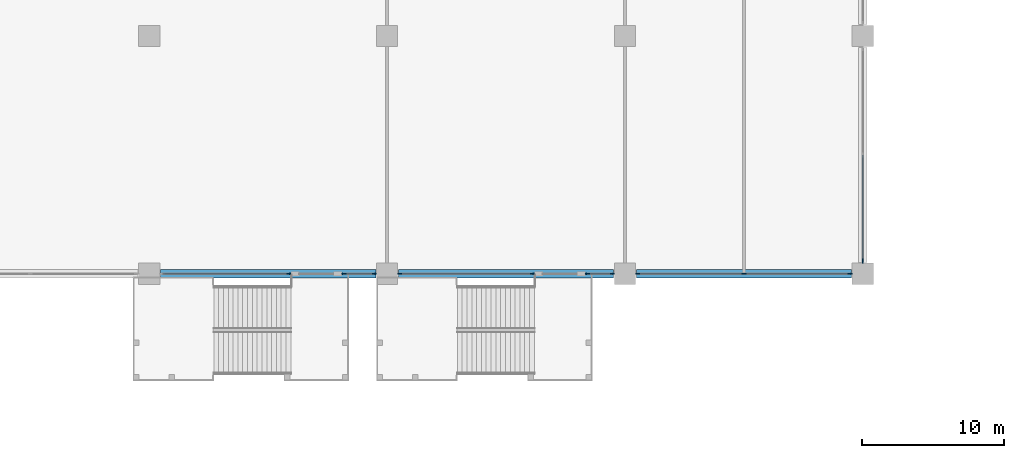
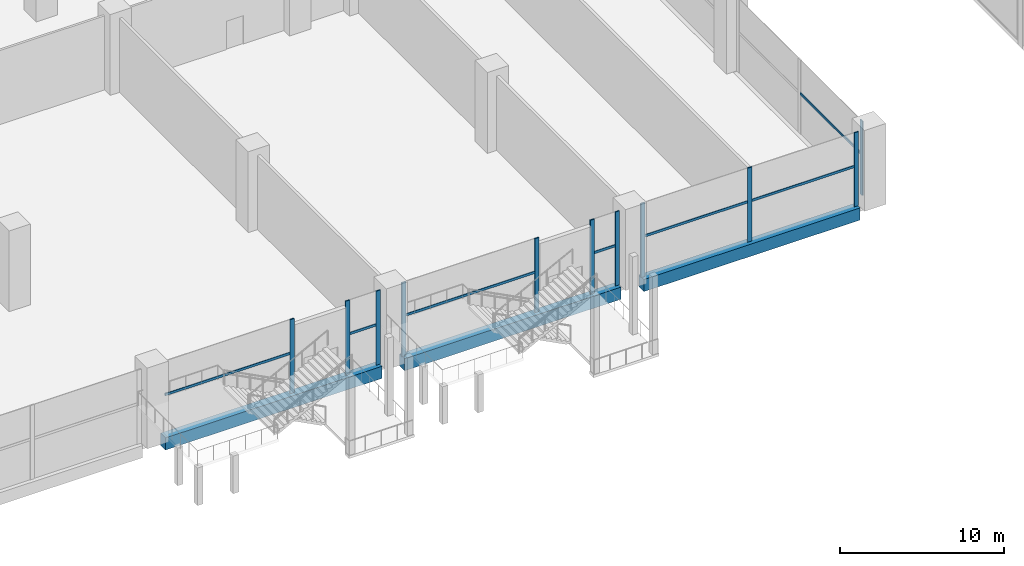
# One storey, part 7 of 49: 18 members, 3 beams, 6 elements without a shape of their own.
"""IFC4 building model written with IfcOpenShell, lengths in metres."""

import ifcopenshell
import ifcopenshell.guid

model = None  # the IFC model being written
_history = None  # IfcOwnerHistory: only IFC2X3 demands one
_inside = {}  # id of a spatial element -> (the spatial element, [elements in it])
_under = {}  # id of a project, library or spatial element -> (it, [spatial elements below it])
_declared = {}  # id of a project -> (the project, [libraries it declares])
_typed = {}  # id of a type object -> (the type object, [elements of that type])
_made_of = {}  # id of a material, layer set ... -> (it, [elements and type objects made of it])


def new_model(schema):
    """Start an empty IFC model of exactly this schema.

    Asked for "IFC4X3", IfcOpenShell would pick the latest addendum, in which some entities
    have other attributes; the version numbers below select the first issue.
    IFC2X3 requires an IfcOwnerHistory on every rooted entity: one is made here for all.
    """
    global model, _history
    if schema == "IFC4X3":
        model = ifcopenshell.file(schema_version=(4, 3, 0, 0))
    else:
        model = ifcopenshell.file(schema=schema)
    _inside.clear()
    _under.clear()
    _declared.clear()
    _typed.clear()
    _made_of.clear()
    _history = None
    if model.schema == "IFC2X3":
        org = make("IfcOrganization", Name="unknown")
        user = make(
            "IfcPersonAndOrganization",
            ThePerson=make("IfcPerson", FamilyName="unknown"),
            TheOrganization=org,
        )
        app = make(
            "IfcApplication",
            ApplicationDeveloper=org,
            Version="unknown",
            ApplicationFullName="unknown",
            ApplicationIdentifier="unknown",
        )
        _history = make(
            "IfcOwnerHistory",
            OwningUser=user,
            OwningApplication=app,
            ChangeAction="ADDED",
            CreationDate=0,
        )
    return model


def make(cls, **values):
    """One entity of the class cls with the attributes given. An attribute that is None is left unset."""
    return model.create_entity(
        cls, **{name: value for name, value in values.items() if value is not None}
    )


def rooted(cls, **values):
    """An entity with a GlobalId (a new one), such as an element, a storey or a relation."""
    return make(cls, GlobalId=ifcopenshell.guid.new(), OwnerHistory=_history, **values)


def si_unit(unit_type, name, prefix=None):
    """IfcSIUnit, for example si_unit("LENGTHUNIT", "METRE", prefix="MILLI")."""
    return make("IfcSIUnit", UnitType=unit_type, Prefix=prefix, Name=name)


def assignment(units):
    """IfcUnitAssignment: the units of a project."""
    return None if units is None else make("IfcUnitAssignment", Units=units)


def point(xyz):
    """IfcCartesianPoint."""
    return None if xyz is None else make("IfcCartesianPoint", Coordinates=xyz)


def direction(xyz):
    """IfcDirection."""
    return None if xyz is None else make("IfcDirection", DirectionRatios=xyz)


def frame(location, z_axis=None, x_axis=None):
    """IfcAxis2Placement3D, a coordinate frame: its origin and axes. An axis left out is left unset."""
    return make(
        "IfcAxis2Placement3D",
        Location=point(location),
        Axis=direction(z_axis),
        RefDirection=direction(x_axis),
    )


def frame_2d(location, x_axis=None):
    """IfcAxis2Placement2D, a coordinate frame in the plane: its origin and x axis."""
    return make(
        "IfcAxis2Placement2D", Location=point(location), RefDirection=direction(x_axis)
    )


def origin():
    """The frame at (0, 0, 0) with its axes left unset."""
    return frame((0.0, 0.0, 0.0))


def origin_2d():
    """The frame at (0, 0) in the plane with its x axis left unset."""
    return frame_2d((0.0, 0.0))


def place(relative_to, where):
    """IfcLocalPlacement: puts the frame where relative to a parent placement (None: the world)."""
    return make(
        "IfcLocalPlacement", PlacementRelTo=relative_to, RelativePlacement=where
    )


def context(
    kind, dimensions, precision=None, world=None, true_north=None, identifier=None
):
    """IfcGeometricRepresentationContext, for example the 3D "Model" context."""
    return make(
        "IfcGeometricRepresentationContext",
        ContextIdentifier=identifier,
        ContextType=kind,
        CoordinateSpaceDimension=dimensions,
        Precision=precision,
        WorldCoordinateSystem=world,
        TrueNorth=true_north,
    )


def subcontext(parent, identifier, kind, view, scale=None):
    """IfcGeometricRepresentationSubContext, for example "Body" below "Model"."""
    return make(
        "IfcGeometricRepresentationSubContext",
        ContextIdentifier=identifier,
        ContextType=kind,
        ParentContext=parent,
        TargetScale=scale,
        TargetView=view,
    )


def project(units=None, contexts=None):
    """IfcProject with its units and contexts."""
    return rooted(
        "IfcProject",
        Name="project",
        RepresentationContexts=contexts,
        UnitsInContext=assignment(units),
    )


def spatial(cls, under=None, at=None, **own):
    """A site, building, storey or space (cls), placed at a placement, below another one or the project."""
    s = rooted(cls, ObjectPlacement=at, **own)
    if under is not None:
        _under.setdefault(under.id(), (under, []))[1].append(s)
    return s


def profile(cls, at=None, kind="AREA", **sizes):
    """A parametric profile (cls). Its sizes go by their IFC names, for example OverallWidth=200.0."""
    return make(cls, ProfileType=kind, Position=at, **sizes)


def rectangle(**sizes):
    """IfcRectangleProfileDef."""
    return profile("IfcRectangleProfileDef", **sizes)


def extrude(swept, where, along, depth):
    """IfcExtrudedAreaSolid: the profile swept, set in the frame where, extruded along a direction by depth."""
    return make(
        "IfcExtrudedAreaSolid",
        SweptArea=swept,
        Position=where,
        ExtrudedDirection=direction(along),
        Depth=depth,
    )


def shape(context_of_items, identifier, shape_type, items):
    """IfcShapeRepresentation: the items that make up one representation, for example the "Body"."""
    return make(
        "IfcShapeRepresentation",
        ContextOfItems=context_of_items,
        RepresentationIdentifier=identifier,
        RepresentationType=shape_type,
        Items=items,
    )


def material(Name=None, Category=None):
    """IfcMaterial."""
    return make("IfcMaterial", Name=Name, Category=Category)


def material_profile(
    of_material, cross_section, Name=None, Category=None, Priority=None
):
    """IfcMaterialProfile: a cross section and its material."""
    return make(
        "IfcMaterialProfile",
        Name=Name,
        Material=of_material,
        Profile=cross_section,
        Priority=Priority,
        Category=Category,
    )


def profile_set(profiles, Name=None, composite=None):
    """IfcMaterialProfileSet."""
    return make(
        "IfcMaterialProfileSet",
        Name=Name,
        MaterialProfiles=profiles,
        CompositeProfile=composite,
    )


def made_of(thing, what):
    """Note that an element or type object is made of a material, layer set ...; save() writes the relation."""
    if what is not None:
        _made_of.setdefault(what.id(), (what, []))[1].append(thing)
    return thing


def type_object(cls, material=None, **own):
    """A type object (cls), such as IfcWallType, which elements share."""
    return made_of(rooted(cls, **own), material)


def element(
    cls,
    number,
    at=None,
    inside=None,
    cuts=None,
    type_object=None,
    material=None,
    context=None,
    identifier="Body",
    shape_type=None,
    held_by="IfcProductDefinitionShape",
    body=None,
    shapes=None,
    **own,
):
    """One element of the class cls, such as IfcWall. Its Tag is "e" and its number.

    at: its placement. inside: the storey or other place that contains it. cuts: it is an
    opening in that element (IfcRelVoidsElement). A single representation is given by context,
    identifier, shape_type and body (its items); several are given by shapes. held_by: the class
    of the entity that holds the representations. save() writes the other relations.
    """
    e = rooted(cls, Tag="e%d" % number, ObjectPlacement=at, **own)
    if body is not None:
        shapes = [shape(context, identifier, shape_type, body)]
    if shapes is not None:
        e.Representation = make(held_by, Representations=shapes)
    if inside is not None:
        _inside.setdefault(inside.id(), (inside, []))[1].append(e)
    if cuts is not None:
        rooted(
            "IfcRelVoidsElement", RelatingBuildingElement=cuts, RelatedOpeningElement=e
        )
    if type_object is not None:
        _typed.setdefault(type_object.id(), (type_object, []))[1].append(e)
    return made_of(e, material)


def aggregate(whole, parts):
    """IfcRelAggregates: a whole, such as a stair, and the parts it consists of."""
    return rooted("IfcRelAggregates", RelatingObject=whole, RelatedObjects=parts)


def save(model, path):
    """Write the relations noted so far, then the file.

    IfcRelAggregates (storeys below a building ...), IfcRelContainedInSpatialStructure (elements
    in a storey), IfcRelDefinesByType, IfcRelAssociatesMaterial and IfcRelDeclares: one each for
    every whole, place, type object, material and project.
    """
    for whole, parts in _under.values():
        aggregate(whole, parts)
    for where, things in _inside.values():
        rooted(
            "IfcRelContainedInSpatialStructure",
            RelatedElements=things,
            RelatingStructure=where,
        )
    for kind, things in _typed.values():
        rooted("IfcRelDefinesByType", RelatedObjects=things, RelatingType=kind)
    for what, things in _made_of.values():
        rooted("IfcRelAssociatesMaterial", RelatedObjects=things, RelatingMaterial=what)
    for by, libraries in _declared.values():
        rooted("IfcRelDeclares", RelatingContext=by, RelatedDefinitions=libraries)
    model.write(path)


model = new_model("IFC4")

# Units and contexts
model_context = context("Model", 3, precision=1e-05, world=origin(), true_north=direction((0.0, 1.0)))
body_context = subcontext(model_context, "Body", "Model", "MODEL_VIEW")
ifc_project = project(units=[si_unit("LENGTHUNIT", "METRE"), si_unit("AREAUNIT", "SQUARE_METRE"), si_unit("VOLUMEUNIT", "CUBIC_METRE"), si_unit("PLANEANGLEUNIT", "RADIAN"), si_unit("MASSUNIT", "GRAM", prefix="KILO")], contexts=[model_context])

# Site, building, storey
site_placement = place(None, origin())
site = spatial("IfcSite", under=ifc_project, at=site_placement, CompositionType="ELEMENT")
building_placement = place(site_placement, origin())
building = spatial("IfcBuilding", under=site, at=building_placement, Name="Candeia Pilgrim Tower and Theatre", CompositionType="ELEMENT")
storey_placement = place(building_placement, frame((0.0, 0.0, 17.0)))
storey = spatial("IfcBuildingStorey", under=building, at=storey_placement, Name="L02", CompositionType="ELEMENT", Elevation=17.0)

# Curtain wall, member
ifc_material_1 = material(Name="Aluminium framed podium glazing", Category="aluminium")
curtain_wall_type = type_object("IfcCurtainWallType", Name="CW-P curtain wall", PredefinedType="NOTDEFINED", material=ifc_material_1)
curtain_wall_1_placement = place(storey_placement, origin())
curtain_wall_1 = element("IfcCurtainWall", 1, at=curtain_wall_1_placement, inside=storey, type_object=curtain_wall_type, Name="Curtain wall CW-P L02.260", PredefinedType="NOTDEFINED")
ifc_material_2 = material(Name="Anodised aluminium", Category="aluminium")
ifc_material_profile_1 = material_profile(ifc_material_2, rectangle(XDim=0.080078125, YDim=0.300048828125, at=origin_2d()))
ifc_profile_set_1 = profile_set([ifc_material_profile_1], Name="Anodised aluminium")
member_type_1 = type_object("IfcMemberType", Name="CW-P mullion 80x300", PredefinedType="MULLION", material=ifc_profile_set_1)
member_1_placement = place(storey_placement, frame((159.60009765625, 65.300048828125, 0.0), z_axis=(0.0, 0.0, 1.0), x_axis=(1.0, 0.0, 0.0)))
member_1 = element("IfcMember", 2, at=member_1_placement, type_object=member_type_1, Name="CW-P mullion 3", PredefinedType="MULLION", context=body_context, shape_type="SweptSolid", body=[
    extrude(rectangle(XDim=0.080078125, YDim=0.300048828125, at=origin_2d()), origin(), (0.0, 0.0, 1.0), 5.5),
])

# Curtain wall, members
curtain_wall_2_placement = place(storey_placement, origin())
curtain_wall_2 = element("IfcCurtainWall", 3, at=curtain_wall_2_placement, inside=storey, type_object=curtain_wall_type, Name="Curtain wall CW-P L02.300", PredefinedType="NOTDEFINED")
member_2_placement = place(storey_placement, frame((158.699951171875, 64.39990234375, 0.0), z_axis=(0.0, 0.0, 1.0), x_axis=(0.0, -1.0, 0.0)))
member_2 = element("IfcMember", 4, at=member_2_placement, type_object=member_type_1, Name="CW-P mullion 1", PredefinedType="MULLION", context=body_context, shape_type="SweptSolid", body=[
    extrude(rectangle(XDim=0.080078125, YDim=0.300048828125, at=origin_2d()), origin(), (0.0, 0.0, 1.0), 5.5),
])
member_3_placement = place(storey_placement, frame((151.199951171875, 64.39990234375, 0.0), z_axis=(0.0, 0.0, 1.0), x_axis=(0.0, -1.0, 0.0)))
member_3 = element("IfcMember", 5, at=member_3_placement, type_object=member_type_1, Name="CW-P mullion 2", PredefinedType="MULLION", context=body_context, shape_type="SweptSolid", body=[
    extrude(rectangle(XDim=0.080078125, YDim=0.300048828125, at=origin_2d()), origin(), (0.0, 0.0, 1.0), 5.5),
])
member_4_placement = place(storey_placement, frame((143.699951171875, 64.39990234375, 0.0), z_axis=(0.0, 0.0, 1.0), x_axis=(0.0, -1.0, 0.0)))
member_4 = element("IfcMember", 6, at=member_4_placement, type_object=member_type_1, Name="CW-P mullion 3", PredefinedType="MULLION", context=body_context, shape_type="SweptSolid", body=[
    extrude(rectangle(XDim=0.080078125, YDim=0.300048828125, at=origin_2d()), origin(), (0.0, 0.0, 1.0), 5.5),
])

curtain_wall_3_placement = place(storey_placement, origin())
curtain_wall_3 = element("IfcCurtainWall", 7, at=curtain_wall_3_placement, inside=storey, type_object=curtain_wall_type, Name="Curtain wall CW-P L02.310", PredefinedType="NOTDEFINED")
member_5_placement = place(storey_placement, frame((141.89990234375, 64.39990234375, 0.0), z_axis=(0.0, 0.0, 1.0), x_axis=(0.0, -1.0, 0.0)))
member_5 = element("IfcMember", 8, at=member_5_placement, type_object=member_type_1, Name="CW-P mullion 1", PredefinedType="MULLION", context=body_context, shape_type="SweptSolid", body=[
    extrude(rectangle(XDim=0.080078125, YDim=0.300048828125, at=origin_2d()), origin(), (0.0, 0.0, 1.0), 5.5),
])
member_6_placement = place(storey_placement, frame((140.14990234375, 64.39990234375, 0.0), z_axis=(0.0, 0.0, 1.0), x_axis=(0.0, -1.0, 0.0)))
member_6 = element("IfcMember", 9, at=member_6_placement, type_object=member_type_1, Name="CW-P mullion 2", PredefinedType="MULLION", context=body_context, shape_type="SweptSolid", body=[
    extrude(rectangle(XDim=0.080078125, YDim=0.300048828125, at=origin_2d()), origin(), (0.0, 0.0, 1.0), 5.5),
])

curtain_wall_4_placement = place(storey_placement, origin())
curtain_wall_4 = element("IfcCurtainWall", 10, at=curtain_wall_4_placement, inside=storey, type_object=curtain_wall_type, Name="Curtain wall CW-P L02.311", PredefinedType="NOTDEFINED")
member_7_placement = place(storey_placement, frame((136.25, 64.39990234375, 0.0), z_axis=(0.0, 0.0, 1.0), x_axis=(0.0, -1.0, 0.0)))
member_7 = element("IfcMember", 11, at=member_7_placement, type_object=member_type_1, Name="CW-P mullion 1", PredefinedType="MULLION", context=body_context, shape_type="SweptSolid", body=[
    extrude(rectangle(XDim=0.080078125, YDim=0.300048828125, at=origin_2d()), origin(), (0.0, 0.0, 1.0), 5.5),
])
member_8_placement = place(storey_placement, frame((126.89990234375, 64.39990234375, 0.0), z_axis=(0.0, 0.0, 1.0), x_axis=(0.0, -1.0, 0.0)))
member_8 = element("IfcMember", 12, at=member_8_placement, type_object=member_type_1, Name="CW-P mullion 2", PredefinedType="MULLION", context=body_context, shape_type="SweptSolid", body=[
    extrude(rectangle(XDim=0.080078125, YDim=0.300048828125, at=origin_2d()), origin(), (0.0, 0.0, 1.0), 5.5),
])

curtain_wall_5_placement = place(storey_placement, origin())
curtain_wall_5 = element("IfcCurtainWall", 13, at=curtain_wall_5_placement, inside=storey, type_object=curtain_wall_type, Name="Curtain wall CW-P L02.320", PredefinedType="NOTDEFINED")
member_9_placement = place(storey_placement, frame((125.10009765625, 64.39990234375, 0.0), z_axis=(0.0, 0.0, 1.0), x_axis=(0.0, -1.0, 0.0)))
member_9 = element("IfcMember", 14, at=member_9_placement, type_object=member_type_1, Name="CW-P mullion 1", PredefinedType="MULLION", context=body_context, shape_type="SweptSolid", body=[
    extrude(rectangle(XDim=0.080078125, YDim=0.300048828125, at=origin_2d()), origin(), (0.0, 0.0, 1.0), 5.5),
])
member_10_placement = place(storey_placement, frame((122.949951171875, 64.39990234375, 0.0), z_axis=(0.0, 0.0, 1.0), x_axis=(0.0, -1.0, 0.0)))
member_10 = element("IfcMember", 15, at=member_10_placement, type_object=member_type_1, Name="CW-P mullion 2", PredefinedType="MULLION", context=body_context, shape_type="SweptSolid", body=[
    extrude(rectangle(XDim=0.080078125, YDim=0.300048828125, at=origin_2d()), origin(), (0.0, 0.0, 1.0), 5.5),
])

# Curtain wall, member
curtain_wall_6_placement = place(storey_placement, origin())
curtain_wall_6 = element("IfcCurtainWall", 16, at=curtain_wall_6_placement, inside=storey, type_object=curtain_wall_type, Name="Curtain wall CW-P L02.321", PredefinedType="NOTDEFINED")
member_11_placement = place(storey_placement, frame((119.050048828125, 64.39990234375, 0.0), z_axis=(0.0, 0.0, 1.0), x_axis=(0.0, -1.0, 0.0)))
member_11 = element("IfcMember", 17, at=member_11_placement, type_object=member_type_1, Name="CW-P mullion 1", PredefinedType="MULLION", context=body_context, shape_type="SweptSolid", body=[
    extrude(rectangle(XDim=0.080078125, YDim=0.300048828125, at=origin_2d()), origin(), (0.0, 0.0, 1.0), 5.5),
])

# Member
ifc_material_profile_2 = material_profile(ifc_material_2, rectangle(XDim=0.080078125, YDim=0.179931640625, at=origin_2d()))
ifc_profile_set_2 = profile_set([ifc_material_profile_2], Name="Anodised aluminium")
member_type_2 = type_object("IfcMemberType", Name="CW-P transom 80x180", PredefinedType="USERDEFINED", material=ifc_profile_set_2)
member_12_placement = place(storey_placement, frame((159.60009765625, 72.760009765625, 3.0), z_axis=(0.0, -1.0, 0.0), x_axis=(1.0, 0.0, 0.0)))
member_12 = element("IfcMember", 18, at=member_12_placement, type_object=member_type_2, Name="CW-P transom 2.1", ObjectType="TRANSOM", PredefinedType="USERDEFINED", context=body_context, shape_type="SweptSolid", body=[
    extrude(rectangle(XDim=0.080078125, YDim=0.179931640625, at=origin_2d()), origin(), (0.0, 0.0, 1.0), 7.419921875),
])

aggregate(curtain_wall_1, [member_1, member_12])

member_13_placement = place(storey_placement, frame((158.659912109375, 64.39990234375, 3.0), z_axis=(-1.0, 0.0, 0.0), x_axis=(0.0, -1.0, 0.0)))
member_13 = element("IfcMember", 19, at=member_13_placement, type_object=member_type_2, Name="CW-P transom 1.1", ObjectType="TRANSOM", PredefinedType="USERDEFINED", context=body_context, shape_type="SweptSolid", body=[
    extrude(rectangle(XDim=0.080078125, YDim=0.179931640625, at=origin_2d()), origin(), (0.0, 0.0, 1.0), 7.419921875),
])

member_14_placement = place(storey_placement, frame((151.159912109375, 64.39990234375, 3.0), z_axis=(-1.0, 0.0, 0.0), x_axis=(0.0, -1.0, 0.0)))
member_14 = element("IfcMember", 20, at=member_14_placement, type_object=member_type_2, Name="CW-P transom 2.1", ObjectType="TRANSOM", PredefinedType="USERDEFINED", context=body_context, shape_type="SweptSolid", body=[
    extrude(rectangle(XDim=0.080078125, YDim=0.179931640625, at=origin_2d()), origin(), (0.0, 0.0, 1.0), 7.419921875),
])

aggregate(curtain_wall_2, [member_2, member_3, member_4, member_13, member_14])

member_15_placement = place(storey_placement, frame((141.860107421875, 64.39990234375, 3.0), z_axis=(-1.0, 0.0, 0.0), x_axis=(0.0, -1.0, 0.0)))
member_15 = element("IfcMember", 21, at=member_15_placement, type_object=member_type_2, Name="CW-P transom 1.1", ObjectType="TRANSOM", PredefinedType="USERDEFINED", context=body_context, shape_type="SweptSolid", body=[
    extrude(rectangle(XDim=0.080078125, YDim=0.179931640625, at=origin_2d()), origin(), (0.0, 0.0, 1.0), 1.670166015625),
])

aggregate(curtain_wall_3, [member_5, member_6, member_15])

member_16_placement = place(storey_placement, frame((136.2099609375, 64.39990234375, 3.0), z_axis=(-1.0, 0.0, 0.0), x_axis=(0.0, -1.0, 0.0)))
member_16 = element("IfcMember", 22, at=member_16_placement, type_object=member_type_2, Name="CW-P transom 1.1", ObjectType="TRANSOM", PredefinedType="USERDEFINED", context=body_context, shape_type="SweptSolid", body=[
    extrude(rectangle(XDim=0.080078125, YDim=0.179931640625, at=origin_2d()), origin(), (0.0, 0.0, 1.0), 9.27001953125),
])

aggregate(curtain_wall_4, [member_7, member_8, member_16])

member_17_placement = place(storey_placement, frame((125.06005859375, 64.39990234375, 3.0), z_axis=(-1.0, 0.0, 0.0), x_axis=(0.0, -1.0, 0.0)))
member_17 = element("IfcMember", 23, at=member_17_placement, type_object=member_type_2, Name="CW-P transom 1.1", ObjectType="TRANSOM", PredefinedType="USERDEFINED", context=body_context, shape_type="SweptSolid", body=[
    extrude(rectangle(XDim=0.080078125, YDim=0.179931640625, at=origin_2d()), origin(), (0.0, 0.0, 1.0), 2.070068359375),
])

aggregate(curtain_wall_5, [member_9, member_10, member_17])

member_18_placement = place(storey_placement, frame((119.010009765625, 64.39990234375, 3.0), z_axis=(-1.0, 0.0, 0.0), x_axis=(0.0, -1.0, 0.0)))
member_18 = element("IfcMember", 24, at=member_18_placement, type_object=member_type_2, Name="CW-P transom 1.1", ObjectType="TRANSOM", PredefinedType="USERDEFINED", context=body_context, shape_type="SweptSolid", body=[
    extrude(rectangle(XDim=0.080078125, YDim=0.179931640625, at=origin_2d()), origin(), (0.0, 0.0, 1.0), 8.8701171875),
])

aggregate(curtain_wall_6, [member_11, member_18])

# Beams
ifc_material_3 = material(Name="Concrete C80/95", Category="concrete")
ifc_material_profile_3 = material_profile(ifc_material_3, rectangle(XDim=0.60009765625, YDim=0.89990234375, at=origin_2d()))
ifc_profile_set_3 = profile_set([ifc_material_profile_3], Name="Concrete C80/95")
beam_type = type_object("IfcBeamType", Name="RC 600x900 C80/95", PredefinedType="BEAM", material=ifc_profile_set_3)
for number, where, z_axis, x_axis, name in (
    (25, (110.0, 64.39990234375, -0.449951171875), (1.0, 0.0, 0.0), (0.0, 1.0, 0.0), "Spandrel beam L02-26"),
    (26, (126.800048828125, 64.39990234375, -0.449951171875), (1.0, 0.0, 0.0), (0.0, 1.0, 0.0), "Spandrel beam L02-27"),
    (27, (143.60009765625, 64.39990234375, -0.449951171875), (1.0, 0.0, 0.0), (0.0, 1.0, 0.0), "Spandrel beam L02-28"),
):
    element("IfcBeam", number, at=place(storey_placement, frame(where, z_axis=z_axis, x_axis=x_axis)), inside=storey, type_object=beam_type, Name=name, PredefinedType="BEAM", context=body_context, shape_type="SweptSolid", body=[
        extrude(rectangle(XDim=0.60009765625, YDim=0.89990234375, at=origin_2d()), origin(), (0.0, 0.0, 1.0), 15.199951171875),
    ])

save(model, "model.ifc")
